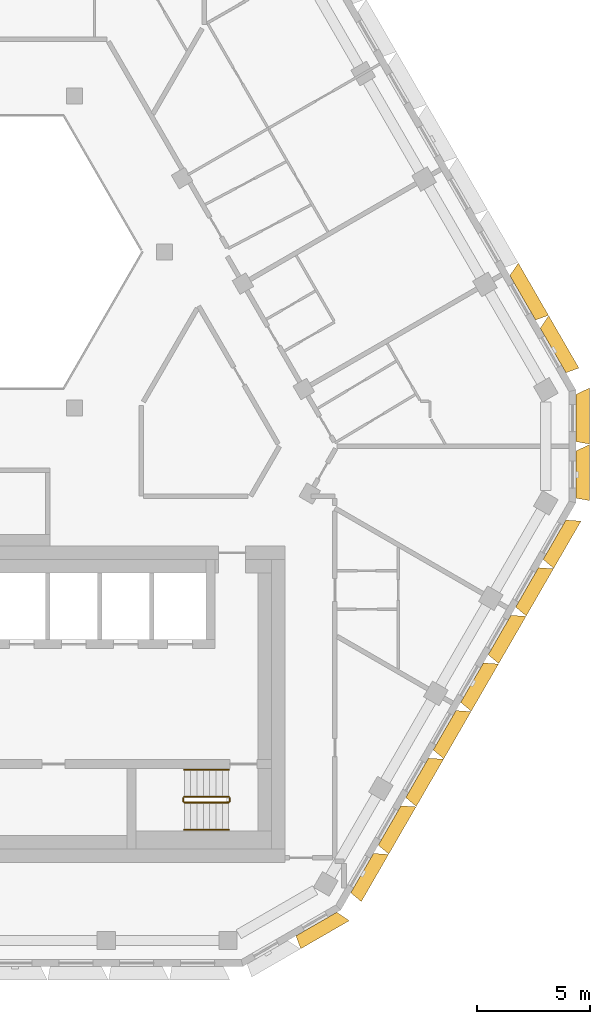
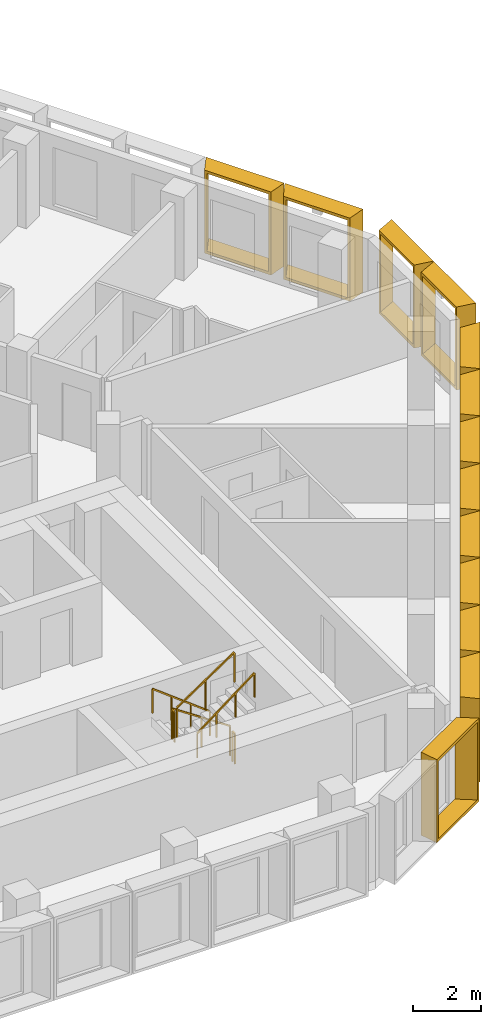
# One storey, part 17 of 18: 13 shading devices, 6 railings.
"""IFC4 building model written with IfcOpenShell, lengths in metres."""

from ifc_helpers import new_model, entity, si_unit, direction, frame, origin, origin_2d, place, context, subcontext, project, spatial, rectangle, extrude, source, transform, mapped, material, type_object, type_shapes, element, save


model = new_model("IFC4")

# Units and contexts
model_context = context("Model", 3, precision=1e-05, world=origin(), true_north=direction((0.0, 1.0)))
body_context = subcontext(model_context, "Body", "Model", "MODEL_VIEW")
ifc_project = project(units=[si_unit("LENGTHUNIT", "METRE"), si_unit("AREAUNIT", "SQUARE_METRE"), si_unit("VOLUMEUNIT", "CUBIC_METRE"), si_unit("PLANEANGLEUNIT", "RADIAN"), si_unit("MASSUNIT", "GRAM", prefix="KILO")], contexts=[model_context])

# Site, building, storey
site_placement = place(None, origin())
site = spatial("IfcSite", under=ifc_project, at=site_placement, CompositionType="ELEMENT")
building_placement = place(site_placement, origin())
building = spatial("IfcBuilding", under=site, at=building_placement, Name="Beryl Residences", CompositionType="ELEMENT")
storey_placement = place(building_placement, frame((0.0, 0.0, 184.199951171875)))
storey = spatial("IfcBuildingStorey", under=building, at=storey_placement, Name="L56", CompositionType="ELEMENT", Elevation=184.199951171875)

# Shading devices
ifc_material_1 = material(Name="Aluminium pale anodised", Category="aluminium")
shading_device_type_1 = type_object("IfcShadingDeviceType", Name="FR243-60C OUTER SKIN frame 600 mm deep, splay 10/26 deg, 2430 x 3000 mm cell", PredefinedType="USERDEFINED", material=ifc_material_1)
cartesian_point_1 = entity("IfcCartesianPoint", [-1.005615234375, 0.0])
cartesian_point_2 = entity("IfcCartesianPoint", [-0.92431640625, 0.10009765625])
cartesian_point_3 = entity("IfcCartesianPoint", [-1.111328125, 0.0])
cartesian_point_4 = entity("IfcCartesianPoint", [-1.030029296875, 0.10009765625])
shared_shape_1 = source(origin(), body_context, "Body", "SweptSolid", [
    entity("IfcExtrudedAreaSolidTapered", entity("IfcArbitraryProfileDefWithVoids", "AREA", None, entity("IfcPolyline", [cartesian_point_1, entity("IfcCartesianPoint", [1.005615234375, 0.0]), entity("IfcCartesianPoint", [1.005615234375, 3.0]), entity("IfcCartesianPoint", [-1.005615234375, 3.0]), cartesian_point_1]), [entity("IfcPolyline", [cartesian_point_2, entity("IfcCartesianPoint", [0.91650390625, 0.10009765625]), entity("IfcCartesianPoint", [0.91650390625, 2.89990234375]), entity("IfcCartesianPoint", [-0.92431640625, 2.89990234375]), cartesian_point_2])]), entity("IfcAxis2Placement3D", entity("IfcCartesianPoint", [0.0, 0.0, 0.0]), entity("IfcDirection", [0.0, 1.0, 0.0]), entity("IfcDirection", [-1.0, 0.0, 0.0])), entity("IfcDirection", [0.0, 0.0, 1.0]), 0.60009765625, entity("IfcArbitraryProfileDefWithVoids", "AREA", None, entity("IfcPolyline", [cartesian_point_3, entity("IfcCartesianPoint", [1.298095703125, 0.0]), entity("IfcCartesianPoint", [1.298095703125, 3.0]), entity("IfcCartesianPoint", [-1.111328125, 3.0]), cartesian_point_3]), [entity("IfcPolyline", [cartesian_point_4, entity("IfcCartesianPoint", [1.209228515625, 0.10009765625]), entity("IfcCartesianPoint", [1.209228515625, 2.89990234375]), entity("IfcCartesianPoint", [-1.030029296875, 2.89990234375]), cartesian_point_4])])),
])
type_shapes(shading_device_type_1, [shared_shape_1])
for number, where, z_axis, x_axis, name in (
    (1, (16.700927734375, -19.471923828125, 0.0), (0.0, 0.0, 1.0), (-0.5, -0.866025403784, 0.0), "FR243-60C frame L56 SE 1"),
    (2, (17.9169921875, -17.365966796875, 0.0), (0.0, 0.0, 1.0), (-0.5, -0.866025403784, 0.0), "FR243-60C frame L56 SE 2"),
    (3, (19.133056640625, -15.260009765625, 0.0), (0.0, 0.0, 1.0), (-0.5, -0.866025403784, 0.0), "FR243-60C frame L56 SE 3"),
    (4, (20.34912109375, -13.154052734375, 0.0), (0.0, 0.0, 1.0), (-0.5, -0.866025403784, 0.0), "FR243-60C frame L56 SE 4"),
    (5, (21.56396484375, -11.048095703125, 0.0), (0.0, 0.0, 1.0), (-0.5, -0.866025403784, 0.0), "FR243-60C frame L56 SE 5"),
    (6, (22.780029296875, -8.94189453125, 0.0), (0.0, 0.0, 1.0), (-0.5, -0.866025403784, 0.0), "FR243-60C frame L56 SE 6"),
    (7, (23.99609375, -6.8349609375, 0.0), (0.0, 0.0, 1.0), (-0.5, -0.866025403784, 0.0), "FR243-60C frame L56 SE 7"),
    (8, (25.2119140625, -4.72900390625, 0.0), (0.0, 0.0, 1.0), (-0.5, -0.866025403784, 0.0), "FR243-60C frame L56 SE 8"),
):
    element("IfcShadingDevice", number, at=place(storey_placement, frame(where, z_axis=z_axis, x_axis=x_axis)), inside=storey, type_object=shading_device_type_1, Name=name, ObjectType="OUTER SKIN", PredefinedType="USERDEFINED", context=body_context, shape_type="MappedRepresentation", body=[
        mapped(shared_shape_1, transform((0.0, 0.0, 0.0))),
    ])
ifc_material_2 = material(Name="Aluminium pale anodised", Category="aluminium")
shading_device_type_2 = type_object("IfcShadingDeviceType", Name="FR250-60C OUTER SKIN frame 600 mm deep, splay 10/26 deg, 2500 x 3000 mm cell", PredefinedType="USERDEFINED", material=ifc_material_2)
cartesian_point_5 = entity("IfcCartesianPoint", [-1.04052734375, 0.0])
cartesian_point_6 = entity("IfcCartesianPoint", [-0.959228515625, 0.10009765625])
cartesian_point_7 = entity("IfcCartesianPoint", [-1.146240234375, 0.0])
cartesian_point_8 = entity("IfcCartesianPoint", [-1.06494140625, 0.10009765625])
shared_shape_2 = source(origin(), body_context, "Body", "SweptSolid", [
    entity("IfcExtrudedAreaSolidTapered", entity("IfcArbitraryProfileDefWithVoids", "AREA", None, entity("IfcPolyline", [cartesian_point_5, entity("IfcCartesianPoint", [1.04052734375, 0.0]), entity("IfcCartesianPoint", [1.04052734375, 3.0]), entity("IfcCartesianPoint", [-1.04052734375, 3.0]), cartesian_point_5]), [entity("IfcPolyline", [cartesian_point_6, entity("IfcCartesianPoint", [0.951416015625, 0.10009765625]), entity("IfcCartesianPoint", [0.951416015625, 2.89990234375]), entity("IfcCartesianPoint", [-0.959228515625, 2.89990234375]), cartesian_point_6])]), entity("IfcAxis2Placement3D", entity("IfcCartesianPoint", [0.0, 0.0, 0.0]), entity("IfcDirection", [0.0, 1.0, 0.0]), entity("IfcDirection", [-1.0, 0.0, 0.0])), entity("IfcDirection", [0.0, 0.0, 1.0]), 0.60009765625, entity("IfcArbitraryProfileDefWithVoids", "AREA", None, entity("IfcPolyline", [cartesian_point_7, entity("IfcCartesianPoint", [1.333251953125, 0.0]), entity("IfcCartesianPoint", [1.333251953125, 3.0]), entity("IfcCartesianPoint", [-1.146240234375, 3.0]), cartesian_point_7]), [entity("IfcPolyline", [cartesian_point_8, entity("IfcCartesianPoint", [1.244140625, 0.10009765625]), entity("IfcCartesianPoint", [1.244140625, 2.89990234375]), entity("IfcCartesianPoint", [-1.06494140625, 2.89990234375]), cartesian_point_8])])),
])
type_shapes(shading_device_type_2, [shared_shape_2])
for number, where, z_axis, x_axis, name in (
    (9, (14.677978515625, -21.72509765625, 0.0), (0.0, 0.0, 1.0), (-0.866025403784, -0.5, 0.0), "FR250-60C frame L56 S-SE 2"),
    (10, (26.154052734375, -1.85009765625, 0.0), (0.0, 0.0, 1.0), (0.0, -1.0, 0.0), "FR250-60C frame L56 SE-NE 1"),
    (11, (26.154052734375, 0.64990234375, 0.0), (0.0, 0.0, 1.0), (0.0, -1.0, 0.0), "FR250-60C frame L56 SE-NE 2"),
):
    element("IfcShadingDevice", number, at=place(storey_placement, frame(where, z_axis=z_axis, x_axis=x_axis)), inside=storey, type_object=shading_device_type_2, Name=name, ObjectType="OUTER SKIN", PredefinedType="USERDEFINED", context=body_context, shape_type="MappedRepresentation", body=[
        mapped(shared_shape_2, transform((0.0, 0.0, 0.0))),
    ])
ifc_material_3 = material(Name="Aluminium pale anodised", Category="aluminium")
shading_device_type_3 = type_object("IfcShadingDeviceType", Name="FR269-60C OUTER SKIN frame 600 mm deep, splay 10/26 deg, 2690 x 3000 mm cell", PredefinedType="USERDEFINED", material=ifc_material_3)
cartesian_point_9 = entity("IfcCartesianPoint", [-1.135498046875, 0.0])
cartesian_point_10 = entity("IfcCartesianPoint", [-1.05419921875, 0.10009765625])
cartesian_point_11 = entity("IfcCartesianPoint", [-1.2412109375, 0.0])
cartesian_point_12 = entity("IfcCartesianPoint", [-1.16015625, 0.10009765625])
shared_shape_3 = source(origin(), body_context, "Body", "SweptSolid", [
    entity("IfcExtrudedAreaSolidTapered", entity("IfcArbitraryProfileDefWithVoids", "AREA", None, entity("IfcPolyline", [cartesian_point_9, entity("IfcCartesianPoint", [1.135498046875, 0.0]), entity("IfcCartesianPoint", [1.135498046875, 3.0]), entity("IfcCartesianPoint", [-1.135498046875, 3.0]), cartesian_point_9]), [entity("IfcPolyline", [cartesian_point_10, entity("IfcCartesianPoint", [1.04638671875, 0.10009765625]), entity("IfcCartesianPoint", [1.04638671875, 2.89990234375]), entity("IfcCartesianPoint", [-1.05419921875, 2.89990234375]), cartesian_point_10])]), entity("IfcAxis2Placement3D", entity("IfcCartesianPoint", [0.0, 0.0, 0.0]), entity("IfcDirection", [0.0, 1.0, 0.0]), entity("IfcDirection", [-1.0, 0.0, 0.0])), entity("IfcDirection", [0.0, 0.0, 1.0]), 0.60009765625, entity("IfcArbitraryProfileDefWithVoids", "AREA", None, entity("IfcPolyline", [cartesian_point_11, entity("IfcCartesianPoint", [1.42822265625, 0.0]), entity("IfcCartesianPoint", [1.42822265625, 3.0]), entity("IfcCartesianPoint", [-1.2412109375, 3.0]), cartesian_point_11]), [entity("IfcPolyline", [cartesian_point_12, entity("IfcCartesianPoint", [1.339111328125, 0.10009765625]), entity("IfcCartesianPoint", [1.339111328125, 2.89990234375]), entity("IfcCartesianPoint", [-1.16015625, 2.89990234375]), cartesian_point_12])])),
])
type_shapes(shading_device_type_3, [shared_shape_3])
for number, where, z_axis, x_axis, name in (
    (12, (25.14892578125, 3.639892578125, 0.0), (0.0, 0.0, 1.0), (0.5, -0.866025403784, 0.0), "FR269-60C frame L56 NE 1"),
    (13, (23.802978515625, 5.971923828125, 0.0), (0.0, 0.0, 1.0), (0.5, -0.866025403784, 0.0), "FR269-60C frame L56 NE 2"),
):
    element("IfcShadingDevice", number, at=place(storey_placement, frame(where, z_axis=z_axis, x_axis=x_axis)), inside=storey, type_object=shading_device_type_3, Name=name, ObjectType="OUTER SKIN", PredefinedType="USERDEFINED", context=body_context, shape_type="MappedRepresentation", body=[
        mapped(shared_shape_3, transform((0.0, 0.0, 0.0))),
    ])

# Railings
ifc_material_4 = material(Name="Stainless steel balustrade with glass infill", Category="steel")
railing_type_1 = type_object("IfcRailingType", Name="SG1 stair guard 1100 mm", PredefinedType="GUARDRAIL", material=ifc_material_4)
railing_1_placement = place(storey_placement, frame((10.800048828125, -16.10009765625, 0.1875)))
element("IfcRailing", 14, at=railing_1_placement, inside=storey, type_object=railing_type_1, Name="L56 ST-3 stair guard 1", PredefinedType="GUARDRAIL", context=body_context, shape_type="SweptSolid", body=[
    extrude(rectangle(XDim=0.048095703125, YDim=0.048095703125, at=origin_2d()), frame((0.0, 0.0, 1.076171875), z_axis=(-0.830902050051, 0.0, 0.556418712142), x_axis=(0.0, -1.0, 0.0)), (0.0, 0.0, 1.0), 2.35888671875),
    extrude(rectangle(XDim=0.0419921875, YDim=0.0419921875, at=origin_2d()), origin(), (0.0, 0.0, 1.0), 1.052001953125),
    extrude(rectangle(XDim=0.0419921875, YDim=0.0419921875, at=origin_2d()), frame((-0.97998046875, 0.0, 0.65625)), (0.0, 0.0, 1.0), 1.052001953125),
    extrude(rectangle(XDim=0.0419921875, YDim=0.0419921875, at=origin_2d()), frame((-1.9599609375, 0.0, 1.3125)), (0.0, 0.0, 1.0), 1.052001953125),
])
railing_2_placement = place(storey_placement, frame((8.7900390625, -16.14990234375, 1.5)))
element("IfcRailing", 15, at=railing_2_placement, inside=storey, type_object=railing_type_1, Name="L56 ST-3 stair guard 2", PredefinedType="GUARDRAIL", context=body_context, shape_type="SweptSolid", body=[
    extrude(rectangle(XDim=0.048095703125, YDim=0.048095703125, at=origin_2d()), frame((0.0, 0.0, 1.076171875), z_axis=(0.0, -1.0, 0.0), x_axis=(1.0, 0.0, 0.0)), (0.0, 0.0, 1.0), 0.150146484375),
    extrude(rectangle(XDim=0.0419921875, YDim=0.0419921875, at=origin_2d()), origin(), (0.0, 0.0, 1.0), 1.052001953125),
    extrude(rectangle(XDim=0.0419921875, YDim=0.0419921875, at=origin_2d()), frame((0.0, -0.150146484375, 0.0)), (0.0, 0.0, 1.0), 1.052001953125),
])
railing_3_placement = place(storey_placement, frame((8.840087890625, -16.35009765625, 1.6875)))
element("IfcRailing", 16, at=railing_3_placement, inside=storey, type_object=railing_type_1, Name="L56 ST-3 stair guard 3", PredefinedType="GUARDRAIL", context=body_context, shape_type="SweptSolid", body=[
    extrude(rectangle(XDim=0.048095703125, YDim=0.048095703125, at=origin_2d()), frame((0.0, 0.0, 1.076171875), z_axis=(0.830902050051, 0.0, 0.556418712142), x_axis=(0.0, 1.0, 0.0)), (0.0, 0.0, 1.0), 2.35888671875),
    extrude(rectangle(XDim=0.0419921875, YDim=0.0419921875, at=origin_2d()), origin(), (0.0, 0.0, 1.0), 1.052001953125),
    extrude(rectangle(XDim=0.0419921875, YDim=0.0419921875, at=origin_2d()), frame((0.97998046875, 0.0, 0.65625)), (0.0, 0.0, 1.0), 1.052001953125),
    extrude(rectangle(XDim=0.0419921875, YDim=0.0419921875, at=origin_2d()), frame((1.9599609375, 0.0, 1.3125)), (0.0, 0.0, 1.0), 1.052001953125),
])
railing_4_placement = place(storey_placement, frame((10.85009765625, -16.14990234375, 0.0)))
element("IfcRailing", 17, at=railing_4_placement, inside=storey, type_object=railing_type_1, Name="L56 ST-3 stair guard 4", PredefinedType="GUARDRAIL", context=body_context, shape_type="SweptSolid", body=[
    extrude(rectangle(XDim=0.048095703125, YDim=0.048095703125, at=origin_2d()), frame((0.0, 0.0, 1.076171875), z_axis=(0.0, -1.0, 0.0), x_axis=(1.0, 0.0, 0.0)), (0.0, 0.0, 1.0), 0.150146484375),
    extrude(rectangle(XDim=0.0419921875, YDim=0.0419921875, at=origin_2d()), origin(), (0.0, 0.0, 1.0), 1.052001953125),
    extrude(rectangle(XDim=0.0419921875, YDim=0.0419921875, at=origin_2d()), frame((0.0, -0.150146484375, 0.0)), (0.0, 0.0, 1.0), 1.052001953125),
])
ifc_material_5 = material(Name="Stainless steel handrail", Category="steel")
railing_type_2 = type_object("IfcRailingType", Name="SRL1 stair handrail 900 mm", PredefinedType="HANDRAIL", material=ifc_material_5)
railing_5_placement = place(storey_placement, frame((10.800048828125, -14.89990234375, 0.1875)))
element("IfcRailing", 18, at=railing_5_placement, inside=storey, type_object=railing_type_2, Name="L56 ST-3 stair handrail 1", PredefinedType="HANDRAIL", context=body_context, shape_type="SweptSolid", body=[
    extrude(rectangle(XDim=0.048095703125, YDim=0.048095703125, at=origin_2d()), frame((0.0, 0.0, 0.8759765625), z_axis=(-0.794121922505, 0.0, 0.607758481798), x_axis=(0.0, -1.0, 0.0)), (0.0, 0.0, 1.0), 2.468017578125),
    extrude(rectangle(XDim=0.0419921875, YDim=0.0419921875, at=origin_2d()), origin(), (0.0, 0.0, 1.0), 0.851806640625),
    extrude(rectangle(XDim=0.0419921875, YDim=0.0419921875, at=origin_2d()), frame((-0.6533203125, 0.0, 0.5)), (0.0, 0.0, 1.0), 0.851806640625),
    extrude(rectangle(XDim=0.0419921875, YDim=0.0419921875, at=origin_2d()), frame((-1.306640625, 0.0, 1.0)), (0.0, 0.0, 1.0), 0.851806640625),
    extrude(rectangle(XDim=0.0419921875, YDim=0.0419921875, at=origin_2d()), frame((-1.9599609375, 0.0, 1.5)), (0.0, 0.0, 1.0), 0.851806640625),
])
railing_6_placement = place(storey_placement, frame((8.840087890625, -17.550048828125, 1.6875)))
element("IfcRailing", 19, at=railing_6_placement, inside=storey, type_object=railing_type_2, Name="L56 ST-3 stair handrail 2", PredefinedType="HANDRAIL", context=body_context, shape_type="SweptSolid", body=[
    extrude(rectangle(XDim=0.048095703125, YDim=0.048095703125, at=origin_2d()), frame((0.0, 0.0, 0.8759765625), z_axis=(0.794121922505, 0.0, 0.607758481798), x_axis=(0.0, 1.0, 0.0)), (0.0, 0.0, 1.0), 2.468017578125),
    extrude(rectangle(XDim=0.0419921875, YDim=0.0419921875, at=origin_2d()), origin(), (0.0, 0.0, 1.0), 0.851806640625),
    extrude(rectangle(XDim=0.0419921875, YDim=0.0419921875, at=origin_2d()), frame((0.6533203125, 0.0, 0.5)), (0.0, 0.0, 1.0), 0.851806640625),
    extrude(rectangle(XDim=0.0419921875, YDim=0.0419921875, at=origin_2d()), frame((1.306640625, 0.0, 1.0)), (0.0, 0.0, 1.0), 0.851806640625),
    extrude(rectangle(XDim=0.0419921875, YDim=0.0419921875, at=origin_2d()), frame((1.9599609375, 0.0, 1.5)), (0.0, 0.0, 1.0), 0.851806640625),
])

save(model, "model.ifc")
